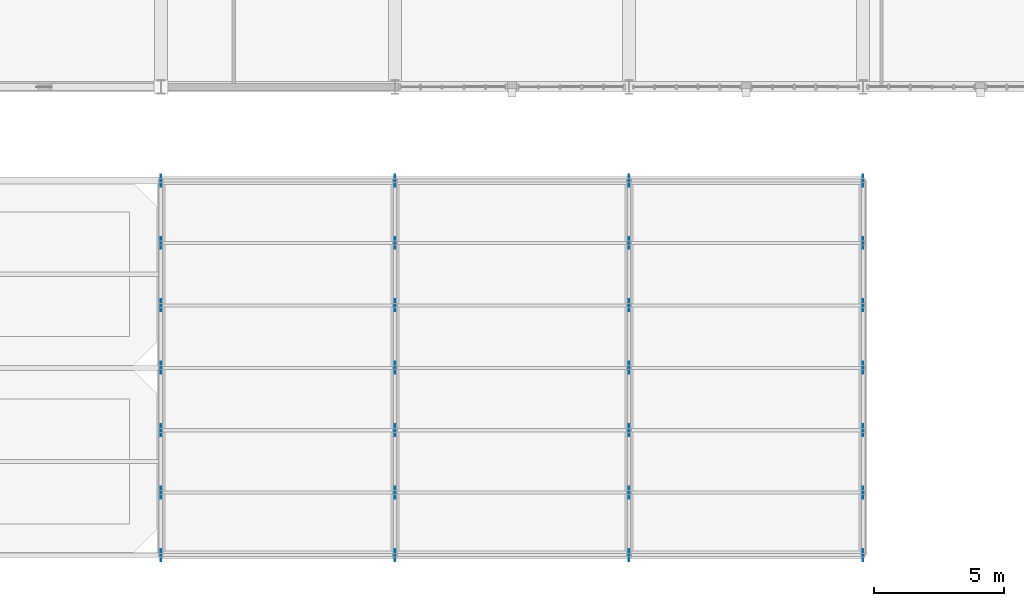
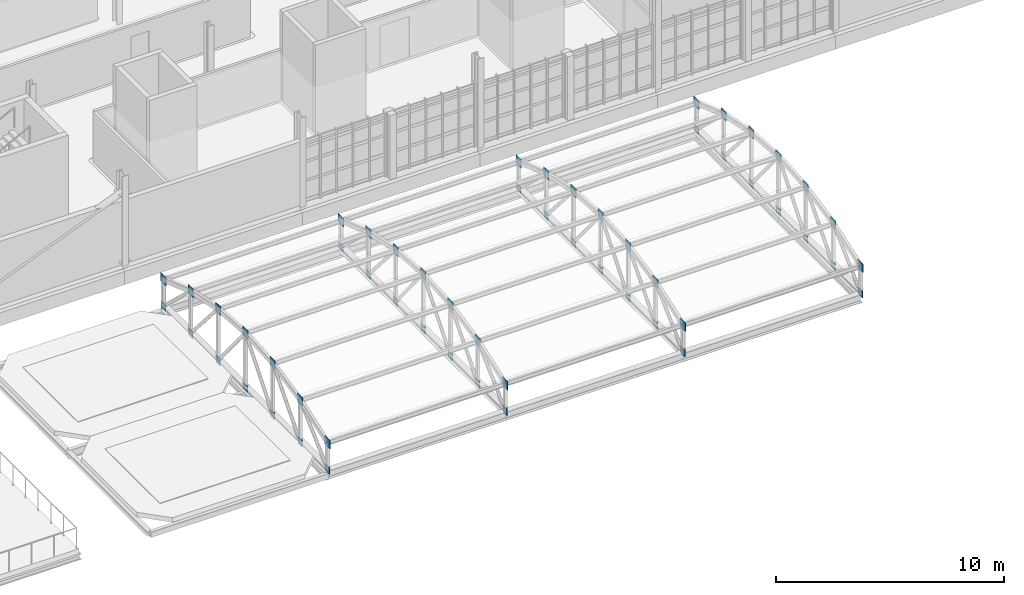
# One storey, part 97 of 128: 56 plates.
"""IFC4 building model written with IfcOpenShell, lengths in metres."""

from ifc_helpers import new_model, si_unit, direction, frame, origin, origin_2d, place, context, subcontext, project, spatial, rectangle, extrude, material, layer, layer_set, type_object, element, save


model = new_model("IFC4")

# Units and contexts
model_context = context("Model", 3, precision=1e-05, world=origin(), true_north=direction((0.0, 1.0)))
body_context = subcontext(model_context, "Body", "Model", "MODEL_VIEW")
ifc_project = project(units=[si_unit("LENGTHUNIT", "METRE"), si_unit("AREAUNIT", "SQUARE_METRE"), si_unit("VOLUMEUNIT", "CUBIC_METRE"), si_unit("PLANEANGLEUNIT", "RADIAN"), si_unit("MASSUNIT", "GRAM", prefix="KILO")], contexts=[model_context])

# Site, building, storey
site_placement = place(None, origin())
site = spatial("IfcSite", under=ifc_project, at=site_placement, CompositionType="ELEMENT")
building_placement = place(site_placement, origin())
building = spatial("IfcBuilding", under=site, at=building_placement, Name="Serraforn Aerial Cableway Station", CompositionType="ELEMENT")
storey_placement = place(building_placement, frame((0.0, 0.0, 9.0)))
storey = spatial("IfcBuildingStorey", under=building, at=storey_placement, Name="L02", CompositionType="ELEMENT", Elevation=9.0)

# Plates
ifc_material = material(Name="Steel S355J2", Category="steel")
ifc_layer_1 = layer(ifc_material, 0.02001953125)
ifc_layer_set_1 = layer_set([ifc_layer_1], Name="Steel S355J2")
plate_type_1 = type_object("IfcPlateType", Name="PLT-CAP-20", PredefinedType="USERDEFINED", material=ifc_layer_set_1)
for number, where, z_axis, x_axis, name in (
    (1, (36.60009765625, 0.0, -0.329833984375), (0.0, 0.0, 1.0), (1.0, 0.0, 0.0), "Barrel Vault Bottom Node VR-01-1"),
    (2, (36.60009765625, 2.39990234375, -0.329833984375), (0.0, 0.0, 1.0), (1.0, 0.0, 0.0), "Barrel Vault Bottom Node VR-01-2"),
    (3, (36.60009765625, 4.800048828125, -0.329833984375), (0.0, 0.0, 1.0), (1.0, 0.0, 0.0), "Barrel Vault Bottom Node VR-01-3"),
    (4, (36.60009765625, 7.199951171875, -0.329833984375), (0.0, 0.0, 1.0), (1.0, 0.0, 0.0), "Barrel Vault Bottom Node VR-01-4"),
    (5, (36.60009765625, 9.60009765625, -0.329833984375), (0.0, 0.0, 1.0), (1.0, 0.0, 0.0), "Barrel Vault Bottom Node VR-01-5"),
    (6, (36.60009765625, 12.0, -0.329833984375), (0.0, 0.0, 1.0), (1.0, 0.0, 0.0), "Barrel Vault Bottom Node VR-01-6"),
    (7, (36.60009765625, 14.39990234375, -0.329833984375), (0.0, 0.0, 1.0), (1.0, 0.0, 0.0), "Barrel Vault Bottom Node VR-01-7"),
    (8, (45.60009765625, 0.0, -0.329833984375), (0.0, 0.0, 1.0), (1.0, 0.0, 0.0), "Barrel Vault Bottom Node VR-02-1"),
    (9, (45.60009765625, 2.39990234375, -0.329833984375), (0.0, 0.0, 1.0), (1.0, 0.0, 0.0), "Barrel Vault Bottom Node VR-02-2"),
    (10, (45.60009765625, 4.800048828125, -0.329833984375), (0.0, 0.0, 1.0), (1.0, 0.0, 0.0), "Barrel Vault Bottom Node VR-02-3"),
    (11, (45.60009765625, 7.199951171875, -0.329833984375), (0.0, 0.0, 1.0), (1.0, 0.0, 0.0), "Barrel Vault Bottom Node VR-02-4"),
    (12, (45.60009765625, 9.60009765625, -0.329833984375), (0.0, 0.0, 1.0), (1.0, 0.0, 0.0), "Barrel Vault Bottom Node VR-02-5"),
    (13, (45.60009765625, 12.0, -0.329833984375), (0.0, 0.0, 1.0), (1.0, 0.0, 0.0), "Barrel Vault Bottom Node VR-02-6"),
    (14, (45.60009765625, 14.39990234375, -0.329833984375), (0.0, 0.0, 1.0), (1.0, 0.0, 0.0), "Barrel Vault Bottom Node VR-02-7"),
    (15, (54.60009765625, 0.0, -0.329833984375), (0.0, 0.0, 1.0), (1.0, 0.0, 0.0), "Barrel Vault Bottom Node VR-03-1"),
    (16, (54.60009765625, 2.39990234375, -0.329833984375), (0.0, 0.0, 1.0), (1.0, 0.0, 0.0), "Barrel Vault Bottom Node VR-03-2"),
    (17, (54.60009765625, 4.800048828125, -0.329833984375), (0.0, 0.0, 1.0), (1.0, 0.0, 0.0), "Barrel Vault Bottom Node VR-03-3"),
    (18, (54.60009765625, 7.199951171875, -0.329833984375), (0.0, 0.0, 1.0), (1.0, 0.0, 0.0), "Barrel Vault Bottom Node VR-03-4"),
    (19, (54.60009765625, 9.60009765625, -0.329833984375), (0.0, 0.0, 1.0), (1.0, 0.0, 0.0), "Barrel Vault Bottom Node VR-03-5"),
    (20, (54.60009765625, 12.0, -0.329833984375), (0.0, 0.0, 1.0), (1.0, 0.0, 0.0), "Barrel Vault Bottom Node VR-03-6"),
    (21, (54.60009765625, 14.39990234375, -0.329833984375), (0.0, 0.0, 1.0), (1.0, 0.0, 0.0), "Barrel Vault Bottom Node VR-03-7"),
    (22, (63.60009765625, 0.0, -0.329833984375), (0.0, 0.0, 1.0), (1.0, 0.0, 0.0), "Barrel Vault Bottom Node VR-04-1"),
    (23, (63.60009765625, 2.39990234375, -0.329833984375), (0.0, 0.0, 1.0), (1.0, 0.0, 0.0), "Barrel Vault Bottom Node VR-04-2"),
    (24, (63.60009765625, 4.800048828125, -0.329833984375), (0.0, 0.0, 1.0), (1.0, 0.0, 0.0), "Barrel Vault Bottom Node VR-04-3"),
    (25, (63.60009765625, 7.199951171875, -0.329833984375), (0.0, 0.0, 1.0), (1.0, 0.0, 0.0), "Barrel Vault Bottom Node VR-04-4"),
    (26, (63.60009765625, 9.60009765625, -0.329833984375), (0.0, 0.0, 1.0), (1.0, 0.0, 0.0), "Barrel Vault Bottom Node VR-04-5"),
    (27, (63.60009765625, 12.0, -0.329833984375), (0.0, 0.0, 1.0), (1.0, 0.0, 0.0), "Barrel Vault Bottom Node VR-04-6"),
    (28, (63.60009765625, 14.39990234375, -0.329833984375), (0.0, 0.0, 1.0), (1.0, 0.0, 0.0), "Barrel Vault Bottom Node VR-04-7"),
):
    element("IfcPlate", number, at=place(storey_placement, frame(where, z_axis=z_axis, x_axis=x_axis)), inside=storey, type_object=plate_type_1, Name=name, ObjectType="CAP PLATE", PredefinedType="USERDEFINED", context=body_context, shape_type="SweptSolid", body=[
        extrude(rectangle(XDim=0.02001953125, YDim=0.3798828125, at=origin_2d()), origin(), (0.0, 0.0, 1.0), 0.3798828125),
    ])
ifc_layer_2 = layer(ifc_material, 0.02392578125)
ifc_layer_set_2 = layer_set([ifc_layer_2], Name="Steel S355J2")
plate_type_2 = type_object("IfcPlateType", Name="PLT-CAP-24", PredefinedType="USERDEFINED", material=ifc_layer_set_2)
for number, where, z_axis, x_axis, name in (
    (29, (36.60009765625, 0.0, 1.06005859375), (0.0, 0.0, 1.0), (1.0, 0.0, 0.0), "Barrel Vault Top Node VR-01-1"),
    (30, (36.60009765625, 2.39990234375, 1.893310546875), (0.0, 0.0, 1.0), (1.0, 0.0, 0.0), "Barrel Vault Top Node VR-01-2"),
    (31, (36.60009765625, 4.800048828125, 2.393310546875), (0.0, 0.0, 1.0), (1.0, 0.0, 0.0), "Barrel Vault Top Node VR-01-3"),
    (32, (36.60009765625, 7.199951171875, 2.56005859375), (0.0, 0.0, 1.0), (1.0, 0.0, 0.0), "Barrel Vault Top Node VR-01-4"),
    (33, (36.60009765625, 9.60009765625, 2.393310546875), (0.0, 0.0, 1.0), (1.0, 0.0, 0.0), "Barrel Vault Top Node VR-01-5"),
    (34, (36.60009765625, 12.0, 1.893310546875), (0.0, 0.0, 1.0), (1.0, 0.0, 0.0), "Barrel Vault Top Node VR-01-6"),
    (35, (36.60009765625, 14.39990234375, 1.06005859375), (0.0, 0.0, 1.0), (1.0, 0.0, 0.0), "Barrel Vault Top Node VR-01-7"),
    (36, (45.60009765625, 0.0, 1.06005859375), (0.0, 0.0, 1.0), (1.0, 0.0, 0.0), "Barrel Vault Top Node VR-02-1"),
    (37, (45.60009765625, 2.39990234375, 1.893310546875), (0.0, 0.0, 1.0), (1.0, 0.0, 0.0), "Barrel Vault Top Node VR-02-2"),
    (38, (45.60009765625, 4.800048828125, 2.393310546875), (0.0, 0.0, 1.0), (1.0, 0.0, 0.0), "Barrel Vault Top Node VR-02-3"),
    (39, (45.60009765625, 7.199951171875, 2.56005859375), (0.0, 0.0, 1.0), (1.0, 0.0, 0.0), "Barrel Vault Top Node VR-02-4"),
    (40, (45.60009765625, 9.60009765625, 2.393310546875), (0.0, 0.0, 1.0), (1.0, 0.0, 0.0), "Barrel Vault Top Node VR-02-5"),
    (41, (45.60009765625, 12.0, 1.893310546875), (0.0, 0.0, 1.0), (1.0, 0.0, 0.0), "Barrel Vault Top Node VR-02-6"),
    (42, (45.60009765625, 14.39990234375, 1.06005859375), (0.0, 0.0, 1.0), (1.0, 0.0, 0.0), "Barrel Vault Top Node VR-02-7"),
    (43, (54.60009765625, 0.0, 1.06005859375), (0.0, 0.0, 1.0), (1.0, 0.0, 0.0), "Barrel Vault Top Node VR-03-1"),
    (44, (54.60009765625, 2.39990234375, 1.893310546875), (0.0, 0.0, 1.0), (1.0, 0.0, 0.0), "Barrel Vault Top Node VR-03-2"),
    (45, (54.60009765625, 4.800048828125, 2.393310546875), (0.0, 0.0, 1.0), (1.0, 0.0, 0.0), "Barrel Vault Top Node VR-03-3"),
    (46, (54.60009765625, 7.199951171875, 2.56005859375), (0.0, 0.0, 1.0), (1.0, 0.0, 0.0), "Barrel Vault Top Node VR-03-4"),
    (47, (54.60009765625, 9.60009765625, 2.393310546875), (0.0, 0.0, 1.0), (1.0, 0.0, 0.0), "Barrel Vault Top Node VR-03-5"),
    (48, (54.60009765625, 12.0, 1.893310546875), (0.0, 0.0, 1.0), (1.0, 0.0, 0.0), "Barrel Vault Top Node VR-03-6"),
    (49, (54.60009765625, 14.39990234375, 1.06005859375), (0.0, 0.0, 1.0), (1.0, 0.0, 0.0), "Barrel Vault Top Node VR-03-7"),
    (50, (63.60009765625, 0.0, 1.06005859375), (0.0, 0.0, 1.0), (1.0, 0.0, 0.0), "Barrel Vault Top Node VR-04-1"),
    (51, (63.60009765625, 2.39990234375, 1.893310546875), (0.0, 0.0, 1.0), (1.0, 0.0, 0.0), "Barrel Vault Top Node VR-04-2"),
    (52, (63.60009765625, 4.800048828125, 2.393310546875), (0.0, 0.0, 1.0), (1.0, 0.0, 0.0), "Barrel Vault Top Node VR-04-3"),
    (53, (63.60009765625, 7.199951171875, 2.56005859375), (0.0, 0.0, 1.0), (1.0, 0.0, 0.0), "Barrel Vault Top Node VR-04-4"),
    (54, (63.60009765625, 9.60009765625, 2.393310546875), (0.0, 0.0, 1.0), (1.0, 0.0, 0.0), "Barrel Vault Top Node VR-04-5"),
    (55, (63.60009765625, 12.0, 1.893310546875), (0.0, 0.0, 1.0), (1.0, 0.0, 0.0), "Barrel Vault Top Node VR-04-6"),
    (56, (63.60009765625, 14.39990234375, 1.06005859375), (0.0, 0.0, 1.0), (1.0, 0.0, 0.0), "Barrel Vault Top Node VR-04-7"),
):
    element("IfcPlate", number, at=place(storey_placement, frame(where, z_axis=z_axis, x_axis=x_axis)), inside=storey, type_object=plate_type_2, Name=name, ObjectType="CAP PLATE", PredefinedType="USERDEFINED", context=body_context, shape_type="SweptSolid", body=[
        extrude(rectangle(XDim=0.02392578125, YDim=0.4599609375, at=origin_2d()), origin(), (0.0, 0.0, 1.0), 0.4599609375),
    ])

save(model, "model.ifc")
